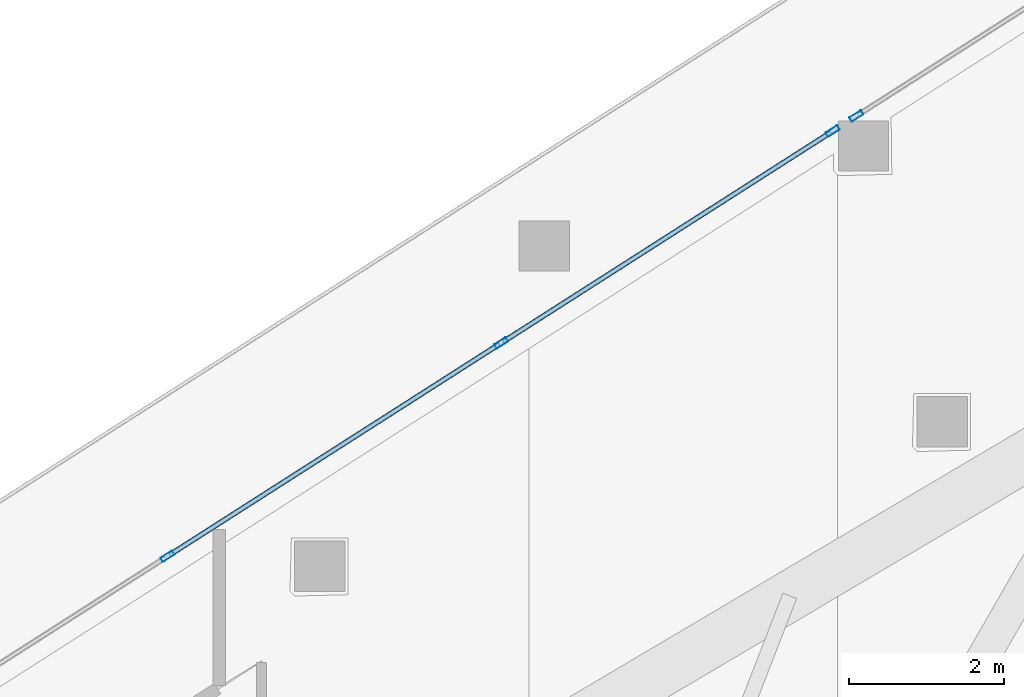
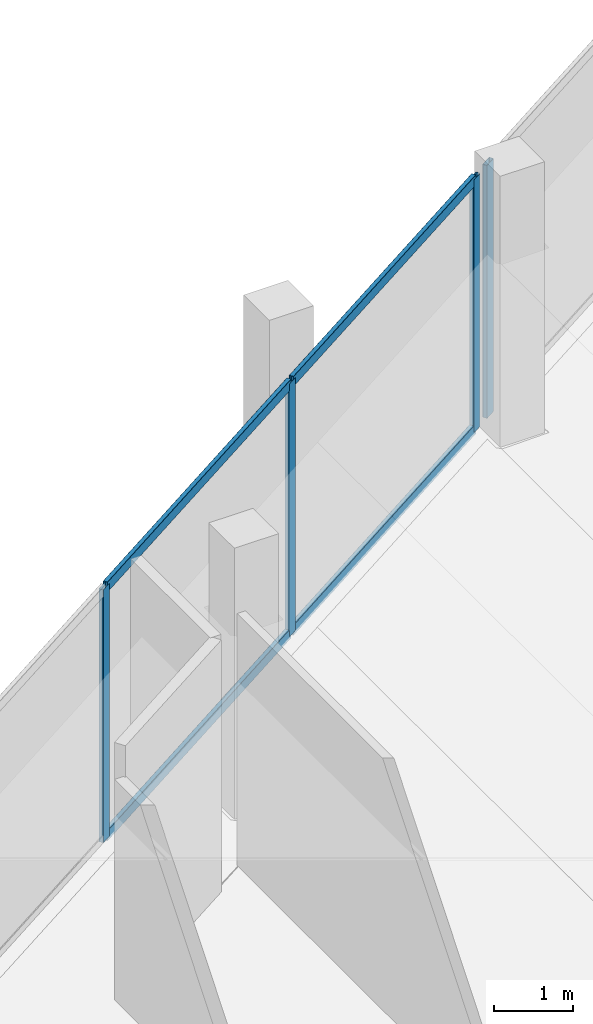
# One storey, part 20 of 44: 8 members, 2 elements without a shape of their own.
"""IFC4 building model written with IfcOpenShell, lengths in metres."""

from ifc_helpers import new_model, si_unit, direction, frame, origin, origin_2d, place, context, subcontext, project, spatial, hollow_rectangle, extrude, material, layer, layer_set, material_profile, profile_set, type_object, element, aggregate, save


model = new_model("IFC4")

# Units and contexts
model_context = context("Model", 3, precision=1e-05, world=origin(), true_north=direction((0.0, 1.0)))
body_context = subcontext(model_context, "Body", "Model", "MODEL_VIEW")
ifc_project = project(units=[si_unit("LENGTHUNIT", "METRE"), si_unit("AREAUNIT", "SQUARE_METRE"), si_unit("VOLUMEUNIT", "CUBIC_METRE"), si_unit("PLANEANGLEUNIT", "RADIAN"), si_unit("MASSUNIT", "GRAM", prefix="KILO")], contexts=[model_context])

# Site, building, storey
site_placement = place(None, origin())
site = spatial("IfcSite", under=ifc_project, at=site_placement, CompositionType="ELEMENT")
building_placement = place(site_placement, origin())
building = spatial("IfcBuilding", under=site, at=building_placement, Name="Qorvath Tower", CompositionType="ELEMENT")
storey_placement = place(building_placement, frame((0.0, 0.0, 57.60009765625)))
storey = spatial("IfcBuildingStorey", under=building, at=storey_placement, Name="L12", CompositionType="ELEMENT", Elevation=57.60009765625)

# Curtain wall, member
ifc_material_1 = material(Name="Anodised aluminium and triple low-E glass", Category="aluminium")
ifc_layer = layer(ifc_material_1, 0.179931640625)
ifc_layer_set = layer_set([ifc_layer], Name="CW-SYS-2")
curtain_wall_type = type_object("IfcCurtainWallType", Name="CW-SYS-2", PredefinedType="NOTDEFINED", material=ifc_layer_set)
curtain_wall_1_placement = place(storey_placement, origin())
curtain_wall_1 = element("IfcCurtainWall", 1, at=curtain_wall_1_placement, inside=storey, type_object=curtain_wall_type, Name="Curtain Wall CW-2 CW-T-L12-16.1", PredefinedType="NOTDEFINED")
ifc_material_2 = material(Name="Anodised aluminium 6063-T6", Category="aluminium")
ifc_material_profile_1 = material_profile(ifc_material_2, hollow_rectangle(XDim=0.06494140625, YDim=0.179931640625, WallThickness=0.00341796875, InnerFilletRadius=0.00341796875, OuterFilletRadius=0.007080078125, at=origin_2d()), Name="CWM 180x65")
ifc_profile_set_1 = profile_set([ifc_material_profile_1], Name="Anodised aluminium 6063-T6")
member_type_1 = type_object("IfcMemberType", Name="CWM-180", PredefinedType="MULLION", material=ifc_profile_set_1)
member_1_placement = place(storey_placement, frame((-18.091064453125, 30.8876953125, 0.0), z_axis=(0.0, 0.0, 1.0), x_axis=(0.53850821823, -0.842620257826, 0.0)))
member_1 = element("IfcMember", 2, at=member_1_placement, type_object=member_type_1, Name="CW-2 mullion 2", PredefinedType="MULLION", context=body_context, shape_type="SweptSolid", body=[
    extrude(hollow_rectangle(XDim=0.06494140625, YDim=0.179931640625, WallThickness=0.00341796875, InnerFilletRadius=0.00341796875, OuterFilletRadius=0.007080078125, at=origin_2d()), origin(), (0.0, 0.0, 1.0), 3.919921875),
])
aggregate(curtain_wall_1, [member_1])

# Curtain wall, members
curtain_wall_2_placement = place(storey_placement, origin())
curtain_wall_2 = element("IfcCurtainWall", 3, at=curtain_wall_2_placement, inside=storey, type_object=curtain_wall_type, Name="Curtain Wall CW-2 CW-T-L12-16.2", PredefinedType="NOTDEFINED")
member_2_placement = place(storey_placement, frame((-18.3974609375, 30.691650390625, 0.0), z_axis=(0.0, 0.0, 1.0), x_axis=(0.538539451152, -0.842600296435, 0.0)))
member_2 = element("IfcMember", 4, at=member_2_placement, type_object=member_type_1, Name="CW-2 mullion 1", PredefinedType="MULLION", context=body_context, shape_type="SweptSolid", body=[
    extrude(hollow_rectangle(XDim=0.06494140625, YDim=0.179931640625, WallThickness=0.00341796875, InnerFilletRadius=0.00341796875, OuterFilletRadius=0.007080078125, at=origin_2d()), origin(), (0.0, 0.0, 1.0), 3.919921875),
])
member_3_placement = place(storey_placement, frame((-22.6884765625, 27.94921875, 0.0), z_axis=(0.0, 0.0, 1.0), x_axis=(0.538539451152, -0.842600296435, 0.0)))
member_3 = element("IfcMember", 5, at=member_3_placement, type_object=member_type_1, Name="CW-2 mullion 2", PredefinedType="MULLION", context=body_context, shape_type="SweptSolid", body=[
    extrude(hollow_rectangle(XDim=0.06494140625, YDim=0.179931640625, WallThickness=0.00341796875, InnerFilletRadius=0.00341796875, OuterFilletRadius=0.007080078125, at=origin_2d()), origin(), (0.0, 0.0, 1.0), 3.919921875),
])
member_4_placement = place(storey_placement, frame((-27.007080078125, 25.18896484375, 0.0), z_axis=(0.0, 0.0, 1.0), x_axis=(0.538539451152, -0.842600296435, 0.0)))
member_4 = element("IfcMember", 6, at=member_4_placement, type_object=member_type_1, Name="CW-2 mullion 3", PredefinedType="MULLION", context=body_context, shape_type="SweptSolid", body=[
    extrude(hollow_rectangle(XDim=0.06494140625, YDim=0.179931640625, WallThickness=0.00341796875, InnerFilletRadius=0.00341796875, OuterFilletRadius=0.007080078125, at=origin_2d()), origin(), (0.0, 0.0, 1.0), 3.919921875),
])
ifc_material_3 = material(Name="Anodised aluminium 6063-T6", Category="aluminium")
ifc_material_profile_2 = material_profile(ifc_material_3, hollow_rectangle(XDim=0.06494140625, YDim=0.159912109375, WallThickness=0.00341796875, InnerFilletRadius=0.00341796875, OuterFilletRadius=0.007080078125, at=origin_2d()), Name="CWT 160x65")
ifc_profile_set_2 = profile_set([ifc_material_profile_2], Name="Anodised aluminium 6063-T6")
member_type_2 = type_object("IfcMemberType", Name="CWT-160", PredefinedType="USERDEFINED", material=ifc_profile_set_2)
member_5_placement = place(storey_placement, frame((-18.4248046875, 30.67431640625, 0.032470703125), z_axis=(-0.842586087681, -0.538561681562, 0.0), x_axis=(0.538561681562, -0.842586087681, 0.0)))
member_5 = element("IfcMember", 7, at=member_5_placement, type_object=member_type_2, Name="CW-2 transom 1.1", ObjectType="TRANSOM", PredefinedType="USERDEFINED", context=body_context, shape_type="SweptSolid", body=[
    extrude(hollow_rectangle(XDim=0.06494140625, YDim=0.159912109375, WallThickness=0.00341796875, InnerFilletRadius=0.00341796875, OuterFilletRadius=0.007080078125, at=origin_2d()), origin(), (0.0, 0.0, 1.0), 5.02783203125),
])
member_6_placement = place(storey_placement, frame((-18.4248046875, 30.67431640625, 3.887451171875), z_axis=(-0.842586087681, -0.538561681562, 0.0), x_axis=(0.538561681562, -0.842586087681, 0.0)))
member_6 = element("IfcMember", 8, at=member_6_placement, type_object=member_type_2, Name="CW-2 transom 1.2", ObjectType="TRANSOM", PredefinedType="USERDEFINED", context=body_context, shape_type="SweptSolid", body=[
    extrude(hollow_rectangle(XDim=0.06494140625, YDim=0.159912109375, WallThickness=0.00341796875, InnerFilletRadius=0.00341796875, OuterFilletRadius=0.007080078125, at=origin_2d()), origin(), (0.0, 0.0, 1.0), 5.02783203125),
])
member_7_placement = place(storey_placement, frame((-22.716064453125, 27.931640625, 0.032470703125), z_axis=(-0.842598957411, -0.538541546188, 0.0), x_axis=(0.538541546188, -0.842598957411, 0.0)))
member_7 = element("IfcMember", 9, at=member_7_placement, type_object=member_type_2, Name="CW-2 transom 2.1", ObjectType="TRANSOM", PredefinedType="USERDEFINED", context=body_context, shape_type="SweptSolid", body=[
    extrude(hollow_rectangle(XDim=0.06494140625, YDim=0.159912109375, WallThickness=0.00341796875, InnerFilletRadius=0.00341796875, OuterFilletRadius=0.007080078125, at=origin_2d()), origin(), (0.0, 0.0, 1.0), 5.06005859375),
])
member_8_placement = place(storey_placement, frame((-22.716064453125, 27.931640625, 3.887451171875), z_axis=(-0.842598957411, -0.538541546188, 0.0), x_axis=(0.538541546188, -0.842598957411, 0.0)))
member_8 = element("IfcMember", 10, at=member_8_placement, type_object=member_type_2, Name="CW-2 transom 2.2", ObjectType="TRANSOM", PredefinedType="USERDEFINED", context=body_context, shape_type="SweptSolid", body=[
    extrude(hollow_rectangle(XDim=0.06494140625, YDim=0.159912109375, WallThickness=0.00341796875, InnerFilletRadius=0.00341796875, OuterFilletRadius=0.007080078125, at=origin_2d()), origin(), (0.0, 0.0, 1.0), 5.06005859375),
])
aggregate(curtain_wall_2, [member_2, member_3, member_4, member_5, member_6, member_7, member_8])

save(model, "model.ifc")
